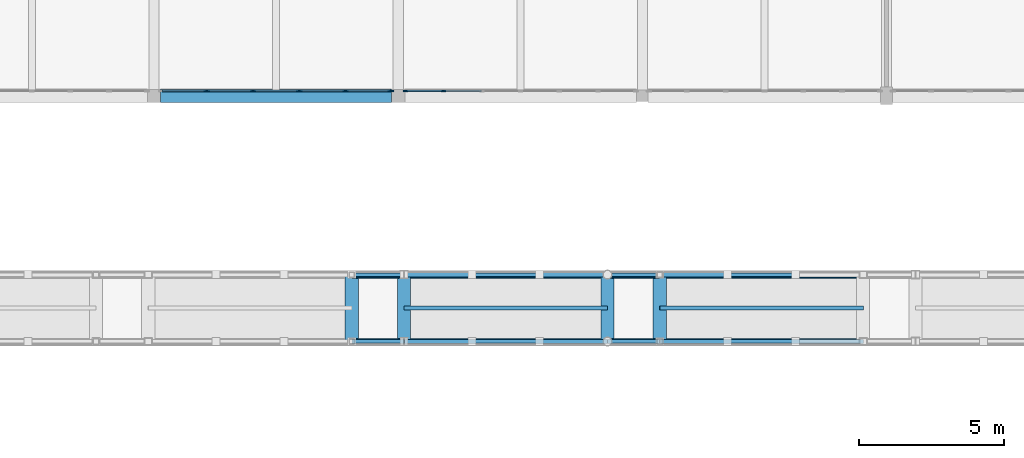
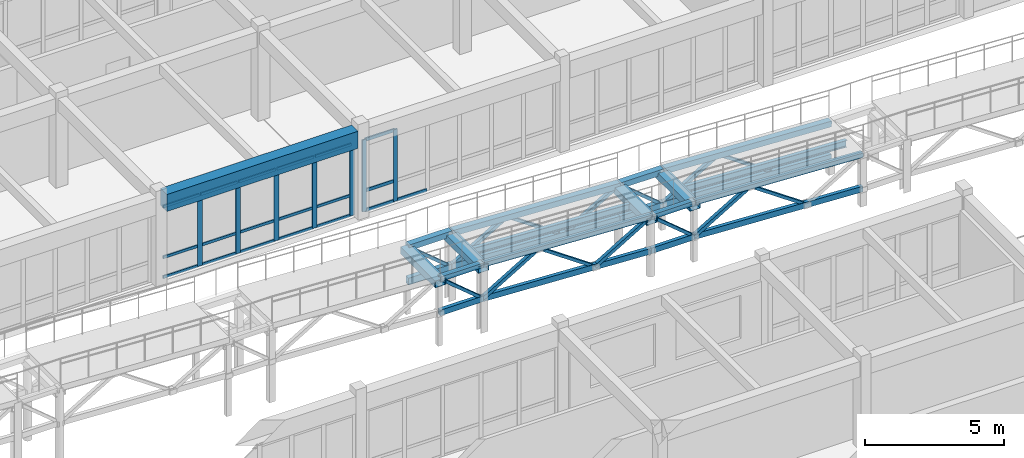
# One storey, part 29 of 89: 56 members, 7 beams, 2 elements without a shape of their own.
"""IFC4 building model written with IfcOpenShell, lengths in metres."""

from ifc_helpers import new_model, si_unit, direction, frame, origin, origin_2d, place, context, subcontext, project, spatial, rectangle, hollow_rectangle, i_section, extrude, material, material_profile, profile_set, type_object, element, aggregate, save


model = new_model("IFC4")

# Units and contexts
model_context = context("Model", 3, precision=1e-05, world=origin(), true_north=direction((0.0, 1.0)))
body_context = subcontext(model_context, "Body", "Model", "MODEL_VIEW")
ifc_project = project(units=[si_unit("LENGTHUNIT", "METRE"), si_unit("AREAUNIT", "SQUARE_METRE"), si_unit("VOLUMEUNIT", "CUBIC_METRE"), si_unit("PLANEANGLEUNIT", "RADIAN"), si_unit("MASSUNIT", "GRAM", prefix="KILO")], contexts=[model_context])

# Site, building, storey
site_placement = place(None, origin())
site = spatial("IfcSite", under=ifc_project, at=site_placement, CompositionType="ELEMENT")
building_placement = place(site_placement, origin())
building = spatial("IfcBuilding", under=site, at=building_placement, Name="Malvenik Polytechnic", CompositionType="ELEMENT")
storey_placement = place(building_placement, frame((0.0, 0.0, 13.5)))
storey = spatial("IfcBuildingStorey", under=building, at=storey_placement, Name="L03", CompositionType="ELEMENT", Elevation=13.5)

# Curtain wall, members
ifc_material_1 = material(Name="Anodised aluminium 6060-T6", Category="aluminium")
curtain_wall_type = type_object("IfcCurtainWallType", Name="ARC-CW-CW-02", PredefinedType="NOTDEFINED", material=ifc_material_1)
curtain_wall_1_placement = place(storey_placement, origin())
curtain_wall_1 = element("IfcCurtainWall", 1, at=curtain_wall_1_placement, inside=storey, type_object=curtain_wall_type, Name="Unitised Curtain Wall CW-02 L03 #200", PredefinedType="NOTDEFINED")
ifc_material_2 = material(Name="Anodised aluminium", Category="aluminium")
ifc_material_profile_1 = material_profile(ifc_material_2, rectangle(XDim=0.06005859375, YDim=0.159912109375, at=origin_2d()), Name="ALU MULLION 60x160")
ifc_profile_set_1 = profile_set([ifc_material_profile_1], Name="Anodised aluminium")
member_type_1 = type_object("IfcMemberType", Name="ARC-CWM-160", PredefinedType="MULLION", material=ifc_profile_set_1)
member_1_placement = place(storey_placement, frame((51.952880859375, 79.3701171875, 0.0), z_axis=(0.0, 0.0, 1.0), x_axis=(0.0, -1.0, 0.0)))
member_1 = element("IfcMember", 2, at=member_1_placement, type_object=member_type_1, Name="CW-02 mullion 6", PredefinedType="MULLION", context=body_context, shape_type="SweptSolid", body=[
    extrude(rectangle(XDim=0.06005859375, YDim=0.159912109375, at=origin_2d()), origin(), (0.0, 0.0, 1.0), 3.159912109375),
])
member_2_placement = place(storey_placement, frame((50.653076171875, 79.3701171875, 0.0), z_axis=(0.0, 0.0, 1.0), x_axis=(0.0, -1.0, 0.0)))
member_2 = element("IfcMember", 3, at=member_2_placement, type_object=member_type_1, Name="CW-02 mullion 7", PredefinedType="MULLION", context=body_context, shape_type="SweptSolid", body=[
    extrude(rectangle(XDim=0.06005859375, YDim=0.159912109375, at=origin_2d()), origin(), (0.0, 0.0, 1.0), 3.159912109375),
])

curtain_wall_2_placement = place(storey_placement, origin())
curtain_wall_2 = element("IfcCurtainWall", 4, at=curtain_wall_2_placement, inside=storey, type_object=curtain_wall_type, Name="Unitised Curtain Wall CW-02 L03 #201", PredefinedType="NOTDEFINED")
ifc_material_profile_2 = material_profile(ifc_material_2, rectangle(XDim=0.06005859375, YDim=0.199951171875, at=origin_2d()), Name="ALU MULLION 60x200")
ifc_profile_set_2 = profile_set([ifc_material_profile_2], Name="Anodised aluminium")
member_type_2 = type_object("IfcMemberType", Name="ARC-CWM-200", PredefinedType="MULLION", material=ifc_profile_set_2)
member_3_placement = place(storey_placement, frame((50.14697265625, 79.3701171875, 0.0), z_axis=(0.0, 0.0, 1.0), x_axis=(0.0, -1.0, 0.0)))
member_3 = element("IfcMember", 5, at=member_3_placement, type_object=member_type_2, Name="CW-02 mullion 1", PredefinedType="MULLION", context=body_context, shape_type="SweptSolid", body=[
    extrude(rectangle(XDim=0.06005859375, YDim=0.199951171875, at=origin_2d()), origin(), (0.0, 0.0, 1.0), 3.159912109375),
])
member_4_placement = place(storey_placement, frame((48.586181640625, 79.3701171875, 0.0), z_axis=(0.0, 0.0, 1.0), x_axis=(0.0, -1.0, 0.0)))
member_4 = element("IfcMember", 6, at=member_4_placement, type_object=member_type_2, Name="CW-02 mullion 2", PredefinedType="MULLION", context=body_context, shape_type="SweptSolid", body=[
    extrude(rectangle(XDim=0.06005859375, YDim=0.199951171875, at=origin_2d()), origin(), (0.0, 0.0, 1.0), 3.159912109375),
])
member_5_placement = place(storey_placement, frame((46.995361328125, 79.3701171875, 0.0), z_axis=(0.0, 0.0, 1.0), x_axis=(0.0, -1.0, 0.0)))
member_5 = element("IfcMember", 7, at=member_5_placement, type_object=member_type_2, Name="CW-02 mullion 3", PredefinedType="MULLION", context=body_context, shape_type="SweptSolid", body=[
    extrude(rectangle(XDim=0.06005859375, YDim=0.199951171875, at=origin_2d()), origin(), (0.0, 0.0, 1.0), 3.159912109375),
])
member_6_placement = place(storey_placement, frame((45.404541015625, 79.3701171875, 0.0), z_axis=(0.0, 0.0, 1.0), x_axis=(0.0, -1.0, 0.0)))
member_6 = element("IfcMember", 8, at=member_6_placement, type_object=member_type_2, Name="CW-02 mullion 4", PredefinedType="MULLION", context=body_context, shape_type="SweptSolid", body=[
    extrude(rectangle(XDim=0.06005859375, YDim=0.199951171875, at=origin_2d()), origin(), (0.0, 0.0, 1.0), 3.159912109375),
])
member_7_placement = place(storey_placement, frame((43.813720703125, 79.3701171875, 0.0), z_axis=(0.0, 0.0, 1.0), x_axis=(0.0, -1.0, 0.0)))
member_7 = element("IfcMember", 9, at=member_7_placement, type_object=member_type_2, Name="CW-02 mullion 5", PredefinedType="MULLION", context=body_context, shape_type="SweptSolid", body=[
    extrude(rectangle(XDim=0.06005859375, YDim=0.199951171875, at=origin_2d()), origin(), (0.0, 0.0, 1.0), 3.159912109375),
])
ifc_material_profile_3 = material_profile(ifc_material_2, rectangle(XDim=0.06005859375, YDim=0.1201171875, at=origin_2d()), Name="ALU TRANSOM 60x120")
ifc_profile_set_3 = profile_set([ifc_material_profile_3], Name="Anodised aluminium")
member_type_3 = type_object("IfcMemberType", Name="ARC-CWT-120", PredefinedType="USERDEFINED", material=ifc_profile_set_3)
member_8_placement = place(storey_placement, frame((50.116943359375, 79.3701171875, 0.030029296875), z_axis=(-1.0, 0.0, 0.0), x_axis=(0.0, -1.0, 0.0)))
member_8 = element("IfcMember", 10, at=member_8_placement, type_object=member_type_3, Name="CW-02 transom 1.1", ObjectType="TRANSOM", PredefinedType="USERDEFINED", context=body_context, shape_type="SweptSolid", body=[
    extrude(rectangle(XDim=0.06005859375, YDim=0.1201171875, at=origin_2d()), origin(), (0.0, 0.0, 1.0), 1.500732421875),
])
member_9_placement = place(storey_placement, frame((50.116943359375, 79.3701171875, 0.89990234375), z_axis=(-1.0, 0.0, 0.0), x_axis=(0.0, -1.0, 0.0)))
member_9 = element("IfcMember", 11, at=member_9_placement, type_object=member_type_3, Name="CW-02 transom 1.2", ObjectType="TRANSOM", PredefinedType="USERDEFINED", context=body_context, shape_type="SweptSolid", body=[
    extrude(rectangle(XDim=0.06005859375, YDim=0.1201171875, at=origin_2d()), origin(), (0.0, 0.0, 1.0), 1.500732421875),
])
member_10_placement = place(storey_placement, frame((50.116943359375, 79.3701171875, 3.1298828125), z_axis=(-1.0, 0.0, 0.0), x_axis=(0.0, -1.0, 0.0)))
member_10 = element("IfcMember", 12, at=member_10_placement, type_object=member_type_3, Name="CW-02 transom 1.3", ObjectType="TRANSOM", PredefinedType="USERDEFINED", context=body_context, shape_type="SweptSolid", body=[
    extrude(rectangle(XDim=0.06005859375, YDim=0.1201171875, at=origin_2d()), origin(), (0.0, 0.0, 1.0), 1.500732421875),
])
member_11_placement = place(storey_placement, frame((48.55615234375, 79.3701171875, 0.030029296875), z_axis=(-1.0, 0.0, 0.0), x_axis=(0.0, -1.0, 0.0)))
member_11 = element("IfcMember", 13, at=member_11_placement, type_object=member_type_3, Name="CW-02 transom 2.1", ObjectType="TRANSOM", PredefinedType="USERDEFINED", context=body_context, shape_type="SweptSolid", body=[
    extrude(rectangle(XDim=0.06005859375, YDim=0.1201171875, at=origin_2d()), origin(), (0.0, 0.0, 1.0), 1.53076171875),
])
member_12_placement = place(storey_placement, frame((48.55615234375, 79.3701171875, 0.89990234375), z_axis=(-1.0, 0.0, 0.0), x_axis=(0.0, -1.0, 0.0)))
member_12 = element("IfcMember", 14, at=member_12_placement, type_object=member_type_3, Name="CW-02 transom 2.2", ObjectType="TRANSOM", PredefinedType="USERDEFINED", context=body_context, shape_type="SweptSolid", body=[
    extrude(rectangle(XDim=0.06005859375, YDim=0.1201171875, at=origin_2d()), origin(), (0.0, 0.0, 1.0), 1.53076171875),
])
member_13_placement = place(storey_placement, frame((48.55615234375, 79.3701171875, 3.1298828125), z_axis=(-1.0, 0.0, 0.0), x_axis=(0.0, -1.0, 0.0)))
member_13 = element("IfcMember", 15, at=member_13_placement, type_object=member_type_3, Name="CW-02 transom 2.3", ObjectType="TRANSOM", PredefinedType="USERDEFINED", context=body_context, shape_type="SweptSolid", body=[
    extrude(rectangle(XDim=0.06005859375, YDim=0.1201171875, at=origin_2d()), origin(), (0.0, 0.0, 1.0), 1.53076171875),
])
member_14_placement = place(storey_placement, frame((46.96533203125, 79.3701171875, 0.030029296875), z_axis=(-1.0, 0.0, 0.0), x_axis=(0.0, -1.0, 0.0)))
member_14 = element("IfcMember", 16, at=member_14_placement, type_object=member_type_3, Name="CW-02 transom 3.1", ObjectType="TRANSOM", PredefinedType="USERDEFINED", context=body_context, shape_type="SweptSolid", body=[
    extrude(rectangle(XDim=0.06005859375, YDim=0.1201171875, at=origin_2d()), origin(), (0.0, 0.0, 1.0), 1.53076171875),
])
member_15_placement = place(storey_placement, frame((46.96533203125, 79.3701171875, 0.89990234375), z_axis=(-1.0, 0.0, 0.0), x_axis=(0.0, -1.0, 0.0)))
member_15 = element("IfcMember", 17, at=member_15_placement, type_object=member_type_3, Name="CW-02 transom 3.2", ObjectType="TRANSOM", PredefinedType="USERDEFINED", context=body_context, shape_type="SweptSolid", body=[
    extrude(rectangle(XDim=0.06005859375, YDim=0.1201171875, at=origin_2d()), origin(), (0.0, 0.0, 1.0), 1.53076171875),
])
member_16_placement = place(storey_placement, frame((46.96533203125, 79.3701171875, 3.1298828125), z_axis=(-1.0, 0.0, 0.0), x_axis=(0.0, -1.0, 0.0)))
member_16 = element("IfcMember", 18, at=member_16_placement, type_object=member_type_3, Name="CW-02 transom 3.3", ObjectType="TRANSOM", PredefinedType="USERDEFINED", context=body_context, shape_type="SweptSolid", body=[
    extrude(rectangle(XDim=0.06005859375, YDim=0.1201171875, at=origin_2d()), origin(), (0.0, 0.0, 1.0), 1.53076171875),
])
member_17_placement = place(storey_placement, frame((45.37451171875, 79.3701171875, 0.030029296875), z_axis=(-1.0, 0.0, 0.0), x_axis=(0.0, -1.0, 0.0)))
member_17 = element("IfcMember", 19, at=member_17_placement, type_object=member_type_3, Name="CW-02 transom 4.1", ObjectType="TRANSOM", PredefinedType="USERDEFINED", context=body_context, shape_type="SweptSolid", body=[
    extrude(rectangle(XDim=0.06005859375, YDim=0.1201171875, at=origin_2d()), origin(), (0.0, 0.0, 1.0), 1.53076171875),
])
member_18_placement = place(storey_placement, frame((45.37451171875, 79.3701171875, 0.89990234375), z_axis=(-1.0, 0.0, 0.0), x_axis=(0.0, -1.0, 0.0)))
member_18 = element("IfcMember", 20, at=member_18_placement, type_object=member_type_3, Name="CW-02 transom 4.2", ObjectType="TRANSOM", PredefinedType="USERDEFINED", context=body_context, shape_type="SweptSolid", body=[
    extrude(rectangle(XDim=0.06005859375, YDim=0.1201171875, at=origin_2d()), origin(), (0.0, 0.0, 1.0), 1.53076171875),
])
member_19_placement = place(storey_placement, frame((45.37451171875, 79.3701171875, 3.1298828125), z_axis=(-1.0, 0.0, 0.0), x_axis=(0.0, -1.0, 0.0)))
member_19 = element("IfcMember", 21, at=member_19_placement, type_object=member_type_3, Name="CW-02 transom 4.3", ObjectType="TRANSOM", PredefinedType="USERDEFINED", context=body_context, shape_type="SweptSolid", body=[
    extrude(rectangle(XDim=0.06005859375, YDim=0.1201171875, at=origin_2d()), origin(), (0.0, 0.0, 1.0), 1.53076171875),
])
member_20_placement = place(storey_placement, frame((43.78369140625, 79.3701171875, 0.030029296875), z_axis=(-1.0, 0.0, 0.0), x_axis=(0.0, -1.0, 0.0)))
member_20 = element("IfcMember", 22, at=member_20_placement, type_object=member_type_3, Name="CW-02 transom 5.1", ObjectType="TRANSOM", PredefinedType="USERDEFINED", context=body_context, shape_type="SweptSolid", body=[
    extrude(rectangle(XDim=0.06005859375, YDim=0.1201171875, at=origin_2d()), origin(), (0.0, 0.0, 1.0), 1.500732421875),
])
member_21_placement = place(storey_placement, frame((43.78369140625, 79.3701171875, 0.89990234375), z_axis=(-1.0, 0.0, 0.0), x_axis=(0.0, -1.0, 0.0)))
member_21 = element("IfcMember", 23, at=member_21_placement, type_object=member_type_3, Name="CW-02 transom 5.2", ObjectType="TRANSOM", PredefinedType="USERDEFINED", context=body_context, shape_type="SweptSolid", body=[
    extrude(rectangle(XDim=0.06005859375, YDim=0.1201171875, at=origin_2d()), origin(), (0.0, 0.0, 1.0), 1.500732421875),
])
member_22_placement = place(storey_placement, frame((43.78369140625, 79.3701171875, 3.1298828125), z_axis=(-1.0, 0.0, 0.0), x_axis=(0.0, -1.0, 0.0)))
member_22 = element("IfcMember", 24, at=member_22_placement, type_object=member_type_3, Name="CW-02 transom 5.3", ObjectType="TRANSOM", PredefinedType="USERDEFINED", context=body_context, shape_type="SweptSolid", body=[
    extrude(rectangle(XDim=0.06005859375, YDim=0.1201171875, at=origin_2d()), origin(), (0.0, 0.0, 1.0), 1.500732421875),
])
aggregate(curtain_wall_2, [member_3, member_4, member_5, member_6, member_7, member_8, member_9, member_10, member_11, member_12, member_13, member_14, member_15, member_16, member_17, member_18, member_19, member_20, member_21, member_22])

# Member
ifc_material_profile_4 = material_profile(ifc_material_2, rectangle(XDim=0.06005859375, YDim=0.139892578125, at=origin_2d()), Name="ALU TRANSOM 60x140")
ifc_profile_set_4 = profile_set([ifc_material_profile_4], Name="Anodised aluminium")
member_type_4 = type_object("IfcMemberType", Name="ARC-CWT-140", PredefinedType="USERDEFINED", material=ifc_profile_set_4)
member_23_placement = place(storey_placement, frame((53.252685546875, 79.3701171875, 0.030029296875), z_axis=(-1.0, 0.0, 0.0), x_axis=(0.0, -1.0, 0.0)))
member_23 = element("IfcMember", 25, at=member_23_placement, type_object=member_type_4, Name="CW-02 transom 5.1", ObjectType="TRANSOM", PredefinedType="USERDEFINED", context=body_context, shape_type="SweptSolid", body=[
    extrude(rectangle(XDim=0.06005859375, YDim=0.139892578125, at=origin_2d()), origin(), (0.0, 0.0, 1.0), 1.269775390625),
])

member_24_placement = place(storey_placement, frame((51.9228515625, 79.3701171875, 0.030029296875), z_axis=(-1.0, 0.0, 0.0), x_axis=(0.0, -1.0, 0.0)))
member_24 = element("IfcMember", 26, at=member_24_placement, type_object=member_type_4, Name="CW-02 transom 6.1", ObjectType="TRANSOM", PredefinedType="USERDEFINED", context=body_context, shape_type="SweptSolid", body=[
    extrude(rectangle(XDim=0.06005859375, YDim=0.139892578125, at=origin_2d()), origin(), (0.0, 0.0, 1.0), 1.23974609375),
])

member_25_placement = place(storey_placement, frame((51.9228515625, 79.3701171875, 0.89990234375), z_axis=(-1.0, 0.0, 0.0), x_axis=(0.0, -1.0, 0.0)))
member_25 = element("IfcMember", 27, at=member_25_placement, type_object=member_type_4, Name="CW-02 transom 6.2", ObjectType="TRANSOM", PredefinedType="USERDEFINED", context=body_context, shape_type="SweptSolid", body=[
    extrude(rectangle(XDim=0.06005859375, YDim=0.139892578125, at=origin_2d()), origin(), (0.0, 0.0, 1.0), 1.23974609375),
])

member_26_placement = place(storey_placement, frame((51.9228515625, 79.3701171875, 3.1298828125), z_axis=(-1.0, 0.0, 0.0), x_axis=(0.0, -1.0, 0.0)))
member_26 = element("IfcMember", 28, at=member_26_placement, type_object=member_type_4, Name="CW-02 transom 6.3", ObjectType="TRANSOM", PredefinedType="USERDEFINED", context=body_context, shape_type="SweptSolid", body=[
    extrude(rectangle(XDim=0.06005859375, YDim=0.139892578125, at=origin_2d()), origin(), (0.0, 0.0, 1.0), 1.23974609375),
])

aggregate(curtain_wall_1, [member_1, member_2, member_23, member_24, member_25, member_26])

# Beams
ifc_material_3 = material(Name="Steel S355J2H", Category="steel")
ifc_material_profile_5 = material_profile(ifc_material_3, hollow_rectangle(XDim=0.449951171875, YDim=0.300048828125, WallThickness=0.012451171875, at=origin_2d()), Name="RHS 450x300x12.5")
ifc_profile_set_5 = profile_set([ifc_material_profile_5], Name="Steel S355J2H")
beam_type_1 = type_object("IfcBeamType", Name="STR-BM-SB-07", PredefinedType="BEAM", material=ifc_profile_set_5)
for number, where, z_axis, x_axis, name in (
    (29, (59.39990234375, 70.64990234375, 2.431884765625), (0.0, 1.0, 0.0), (-1.0, 0.0, 0.0), "Ramp Joint Transom RB-02 #15"),
    (30, (57.60009765625, 70.64990234375, 2.431884765625), (0.0, 1.0, 0.0), (-1.0, 0.0, 0.0), "Ramp Joint Transom RB-02 #16"),
    (31, (50.60009765625, 70.64990234375, 2.781982421875), (0.0, 1.0, 0.0), (-1.0, 0.0, 0.0), "Ramp Joint Transom RB-02 #17"),
    (32, (48.800048828125, 70.64990234375, 2.781982421875), (0.0, 1.0, 0.0), (-1.0, 0.0, 0.0), "Ramp Joint Transom RB-02 #18"),
):
    element("IfcBeam", number, at=place(storey_placement, frame(where, z_axis=z_axis, x_axis=x_axis)), inside=storey, type_object=beam_type_1, Name=name, PredefinedType="BEAM", context=body_context, shape_type="SweptSolid", body=[
        extrude(hollow_rectangle(XDim=0.449951171875, YDim=0.300048828125, WallThickness=0.012451171875, at=origin_2d()), origin(), (0.0, 0.0, 1.0), 2.5),
    ])
ifc_material_4 = material(Name="Steel S355", Category="steel")
ifc_material_profile_6 = material_profile(ifc_material_4, i_section(OverallWidth=0.14990234375, OverallDepth=0.300048828125, WebThickness=0.007080078125, FlangeThickness=0.0107421875, FilletRadius=0.014892578125, at=origin_2d()), Name="IPE 300")
ifc_profile_set_6 = profile_set([ifc_material_profile_6], Name="Steel S355")
beam_type_2 = type_object("IfcBeamType", Name="STR-BM-SB-09", PredefinedType="JOIST", material=ifc_profile_set_6)
for number, where, z_axis, x_axis, name in (
    (33, (66.39990234375, 71.89990234375, 2.02490234375), (-0.998751643845, 0.0, 0.049951515669), (0.0, -1.0, 0.0), "Ramp Centreline Stringer RB-02 #14"),
    (34, (57.60009765625, 71.89990234375, 2.375), (-0.998751643845, 0.0, 0.049951515669), (0.0, -1.0, 0.0), "Ramp Centreline Stringer RB-02 #16"),
):
    element("IfcBeam", number, at=place(storey_placement, frame(where, z_axis=z_axis, x_axis=x_axis)), inside=storey, type_object=beam_type_2, Name=name, PredefinedType="JOIST", context=body_context, shape_type="SweptSolid", body=[
        extrude(i_section(OverallWidth=0.14990234375, OverallDepth=0.300048828125, WebThickness=0.007080078125, FlangeThickness=0.0107421875, FilletRadius=0.014892578125, at=origin_2d()), origin(), (0.0, 0.0, 1.0), 7.0087890625),
    ])
ifc_material_5 = material(Name="Precast concrete C40/50", Category="concrete")
ifc_material_profile_7 = material_profile(ifc_material_5, rectangle(XDim=0.4599609375, YDim=0.75, at=origin_2d()), Name="PC SPN 460x750")
ifc_profile_set_7 = profile_set([ifc_material_profile_7], Name="Precast concrete C40/50")
beam_type_3 = type_object("IfcBeamType", Name="STR-BM-SP-02", PredefinedType="SPANDREL", material=ifc_profile_set_7)
beam_placement = place(storey_placement, frame((42.222900390625, 79.199951171875, 3.544921875), z_axis=(1.0, 0.0, 0.0), x_axis=(0.0, 1.0, 0.0)))
element("IfcBeam", 35, at=beam_placement, inside=storey, type_object=beam_type_3, Name="Primary Beam SP-02 L03 #1639", PredefinedType="SPANDREL", context=body_context, shape_type="SweptSolid", body=[
    extrude(rectangle(XDim=0.4599609375, YDim=0.75, at=origin_2d()), origin(), (0.0, 0.0, 1.0), 7.9541015625),
])

# Members
ifc_material_profile_8 = material_profile(ifc_material_3, hollow_rectangle(XDim=0.14990234375, YDim=0.25, WallThickness=0.010009765625, at=origin_2d()), Name="RHS 250x150x10.0")
ifc_profile_set_8 = profile_set([ifc_material_profile_8], Name="Steel S355J2H")
member_type_5 = type_object("IfcMemberType", Name="STR-MEM-TRB-01", PredefinedType="CHORD", material=ifc_profile_set_8)
member_27_placement = place(storey_placement, frame((66.39599609375, 70.75, 0.730224609375), z_axis=(-0.998752251909, 0.0, 0.049939356288), x_axis=(0.0, -1.0, 0.0)))
element("IfcMember", 36, at=member_27_placement, inside=storey, type_object=member_type_5, Name="Space-Frame Tube TRB-01 STR-TR-BC-RB-02-1-14", PredefinedType="CHORD", context=body_context, shape_type="SweptSolid", body=[
    extrude(hollow_rectangle(XDim=0.14990234375, YDim=0.25, WallThickness=0.010009765625, at=origin_2d()), origin(), (0.0, 0.0, 1.0), 7.000732421875),
])
member_28_placement = place(storey_placement, frame((59.39599609375, 70.75, 1.080078125), z_axis=(-1.0, 0.0, 0.0), x_axis=(0.0, -1.0, 0.0)))
element("IfcMember", 37, at=member_28_placement, inside=storey, type_object=member_type_5, Name="Space-Frame Tube TRB-01 STR-TR-BC-RB-02-1-15", PredefinedType="CHORD", context=body_context, shape_type="SweptSolid", body=[
    extrude(hollow_rectangle(XDim=0.14990234375, YDim=0.25, WallThickness=0.010009765625, at=origin_2d()), origin(), (0.0, 0.0, 1.0), 1.7919921875),
])
member_29_placement = place(storey_placement, frame((57.595947265625, 70.75, 1.080078125), z_axis=(-0.998752251909, 0.0, 0.049939356288), x_axis=(0.0, -1.0, 0.0)))
element("IfcMember", 38, at=member_29_placement, inside=storey, type_object=member_type_5, Name="Space-Frame Tube TRB-01 STR-TR-BC-RB-02-1-16", PredefinedType="CHORD", context=body_context, shape_type="SweptSolid", body=[
    extrude(hollow_rectangle(XDim=0.14990234375, YDim=0.25, WallThickness=0.010009765625, at=origin_2d()), origin(), (0.0, 0.0, 1.0), 7.000732421875),
])
member_30_placement = place(storey_placement, frame((50.595947265625, 70.75, 1.429931640625), z_axis=(-1.0, 0.0, 0.0), x_axis=(0.0, -1.0, 0.0)))
element("IfcMember", 39, at=member_30_placement, inside=storey, type_object=member_type_5, Name="Space-Frame Tube TRB-01 STR-TR-BC-RB-02-1-17", PredefinedType="CHORD", context=body_context, shape_type="SweptSolid", body=[
    extrude(hollow_rectangle(XDim=0.14990234375, YDim=0.25, WallThickness=0.010009765625, at=origin_2d()), origin(), (0.0, 0.0, 1.0), 1.7919921875),
])
ifc_material_profile_9 = material_profile(ifc_material_3, hollow_rectangle(XDim=0.199951171875, YDim=0.300048828125, WallThickness=0.010009765625, at=origin_2d()), Name="RHS 300x200x10.0")
ifc_profile_set_9 = profile_set([ifc_material_profile_9], Name="Steel S355J2H")
member_type_6 = type_object("IfcMemberType", Name="STR-MEM-TRB-02", PredefinedType="CHORD", material=ifc_profile_set_9)
member_31_placement = place(storey_placement, frame((66.39599609375, 73.050048828125, 0.730224609375), z_axis=(-0.998752251909, 0.0, 0.049939356288), x_axis=(0.0, -1.0, 0.0)))
element("IfcMember", 40, at=member_31_placement, inside=storey, type_object=member_type_6, Name="Space-Frame Tube TRB-02 STR-TR-BC-RB-02-2-14", PredefinedType="CHORD", context=body_context, shape_type="SweptSolid", body=[
    extrude(hollow_rectangle(XDim=0.199951171875, YDim=0.300048828125, WallThickness=0.010009765625, at=origin_2d()), origin(), (0.0, 0.0, 1.0), 7.000732421875),
])
member_32_placement = place(storey_placement, frame((59.39599609375, 73.050048828125, 1.080078125), z_axis=(-1.0, 0.0, 0.0), x_axis=(0.0, -1.0, 0.0)))
element("IfcMember", 41, at=member_32_placement, inside=storey, type_object=member_type_6, Name="Space-Frame Tube TRB-02 STR-TR-BC-RB-02-2-15", PredefinedType="CHORD", context=body_context, shape_type="SweptSolid", body=[
    extrude(hollow_rectangle(XDim=0.199951171875, YDim=0.300048828125, WallThickness=0.010009765625, at=origin_2d()), origin(), (0.0, 0.0, 1.0), 1.7919921875),
])
member_33_placement = place(storey_placement, frame((57.595947265625, 73.050048828125, 1.080078125), z_axis=(-0.998752251909, 0.0, 0.049939356288), x_axis=(0.0, -1.0, 0.0)))
element("IfcMember", 42, at=member_33_placement, inside=storey, type_object=member_type_6, Name="Space-Frame Tube TRB-02 STR-TR-BC-RB-02-2-16", PredefinedType="CHORD", context=body_context, shape_type="SweptSolid", body=[
    extrude(hollow_rectangle(XDim=0.199951171875, YDim=0.300048828125, WallThickness=0.010009765625, at=origin_2d()), origin(), (0.0, 0.0, 1.0), 7.000732421875),
])
member_34_placement = place(storey_placement, frame((50.595947265625, 73.050048828125, 1.429931640625), z_axis=(-1.0, 0.0, 0.0), x_axis=(0.0, -1.0, 0.0)))
element("IfcMember", 43, at=member_34_placement, inside=storey, type_object=member_type_6, Name="Space-Frame Tube TRB-02 STR-TR-BC-RB-02-2-17", PredefinedType="CHORD", context=body_context, shape_type="SweptSolid", body=[
    extrude(hollow_rectangle(XDim=0.199951171875, YDim=0.300048828125, WallThickness=0.010009765625, at=origin_2d()), origin(), (0.0, 0.0, 1.0), 1.7919921875),
])
ifc_material_profile_10 = material_profile(ifc_material_3, hollow_rectangle(XDim=0.14990234375, YDim=0.14990234375, WallThickness=0.008056640625, at=origin_2d()), Name="SHS 150x150x8.0")
ifc_profile_set_10 = profile_set([ifc_material_profile_10], Name="Steel S355J2H")
member_type_7 = type_object("IfcMemberType", Name="STR-MEM-TRD-01", PredefinedType="BRACE", material=ifc_profile_set_10)
for number, where, z_axis, x_axis, name in (
    (44, (61.72998046875, 70.75, 2.461181640625), (-0.860228478793, 0.0, -0.509908780346), (0.0, -1.0, 0.0), "Space-Frame Tube TRD-01 STR-TRD-03-RB-02-1-14"),
    (45, (57.5966796875, 70.75, 2.577880859375), (-0.860228478793, 0.0, -0.509908780346), (0.0, -1.0, 0.0), "Space-Frame Tube TRD-01 STR-TRD-01-RB-02-1-16"),
    (46, (52.929931640625, 70.75, 2.811279296875), (-0.860165406805, 0.0, -0.51001516932), (0.0, -1.0, 0.0), "Space-Frame Tube TRD-01 STR-TRD-03-RB-02-1-16"),
    (47, (61.72998046875, 73.050048828125, 2.461181640625), (-0.860228478793, 0.0, -0.509908780346), (0.0, -1.0, 0.0), "Space-Frame Tube TRD-01 STR-TRD-03-RB-02-2-14"),
    (48, (57.5966796875, 73.050048828125, 2.577880859375), (-0.860228478793, 0.0, -0.509908780346), (0.0, -1.0, 0.0), "Space-Frame Tube TRD-01 STR-TRD-01-RB-02-2-16"),
    (49, (52.929931640625, 73.050048828125, 2.811279296875), (-0.860165406805, 0.0, -0.51001516932), (0.0, -1.0, 0.0), "Space-Frame Tube TRD-01 STR-TRD-03-RB-02-2-16"),
):
    element("IfcMember", number, at=place(storey_placement, frame(where, z_axis=z_axis, x_axis=x_axis)), inside=storey, type_object=member_type_7, Name=name, PredefinedType="BRACE", context=body_context, shape_type="SweptSolid", body=[
        extrude(hollow_rectangle(XDim=0.14990234375, YDim=0.14990234375, WallThickness=0.008056640625, at=origin_2d()), origin(), (0.0, 0.0, 1.0), 2.70458984375),
    ])
ifc_material_profile_11 = material_profile(ifc_material_3, hollow_rectangle(XDim=0.1201171875, YDim=0.1201171875, WallThickness=0.00634765625, at=origin_2d()), Name="SHS 120x120x6.3")
ifc_profile_set_11 = profile_set([ifc_material_profile_11], Name="Steel S355J2H")
member_type_8 = type_object("IfcMemberType", Name="STR-MEM-TRD-02", PredefinedType="BRACE", material=ifc_profile_set_11)
member_35_placement = place(storey_placement, frame((64.0634765625, 70.75, 0.84912109375), z_axis=(-0.822046230069, 0.0, 0.569420754477), x_axis=(0.0, -1.0, 0.0)))
element("IfcMember", 50, at=member_35_placement, inside=storey, type_object=member_type_8, Name="Space-Frame Tube TRD-02 STR-TRD-02-RB-02-1-14", PredefinedType="BRACE", context=body_context, shape_type="SweptSolid", body=[
    extrude(hollow_rectangle(XDim=0.1201171875, YDim=0.1201171875, WallThickness=0.00634765625, at=origin_2d()), origin(), (0.0, 0.0, 1.0), 2.83056640625),
])
member_36_placement = place(storey_placement, frame((59.39697265625, 70.75, 1.08251953125), z_axis=(-0.768238418778, 0.0, 0.640163832088), x_axis=(0.0, -1.0, 0.0)))
element("IfcMember", 51, at=member_36_placement, inside=storey, type_object=member_type_8, Name="Space-Frame Tube TRD-02 STR-TR-DGL-RB-02-1-15", PredefinedType="BRACE", context=body_context, shape_type="SweptSolid", body=[
    extrude(hollow_rectangle(XDim=0.1201171875, YDim=0.1201171875, WallThickness=0.00634765625, at=origin_2d()), origin(), (0.0, 0.0, 1.0), 2.335205078125),
])
member_37_placement = place(storey_placement, frame((55.263427734375, 70.75, 1.198974609375), z_axis=(-0.822005857331, 0.0, 0.569479034305), x_axis=(0.0, -1.0, 0.0)))
element("IfcMember", 52, at=member_37_placement, inside=storey, type_object=member_type_8, Name="Space-Frame Tube TRD-02 STR-TRD-02-RB-02-1-16", PredefinedType="BRACE", context=body_context, shape_type="SweptSolid", body=[
    extrude(hollow_rectangle(XDim=0.1201171875, YDim=0.1201171875, WallThickness=0.00634765625, at=origin_2d()), origin(), (0.0, 0.0, 1.0), 2.830810546875),
])
member_38_placement = place(storey_placement, frame((50.596923828125, 70.75, 1.4326171875), z_axis=(-0.768238418778, 0.0, 0.640163832088), x_axis=(0.0, -1.0, 0.0)))
element("IfcMember", 53, at=member_38_placement, inside=storey, type_object=member_type_8, Name="Space-Frame Tube TRD-02 STR-TR-DGL-RB-02-1-17", PredefinedType="BRACE", context=body_context, shape_type="SweptSolid", body=[
    extrude(hollow_rectangle(XDim=0.1201171875, YDim=0.1201171875, WallThickness=0.00634765625, at=origin_2d()), origin(), (0.0, 0.0, 1.0), 2.335205078125),
])
member_39_placement = place(storey_placement, frame((64.0634765625, 73.050048828125, 0.84912109375), z_axis=(-0.822046230069, 0.0, 0.569420754477), x_axis=(0.0, -1.0, 0.0)))
element("IfcMember", 54, at=member_39_placement, inside=storey, type_object=member_type_8, Name="Space-Frame Tube TRD-02 STR-TRD-02-RB-02-2-14", PredefinedType="BRACE", context=body_context, shape_type="SweptSolid", body=[
    extrude(hollow_rectangle(XDim=0.1201171875, YDim=0.1201171875, WallThickness=0.00634765625, at=origin_2d()), origin(), (0.0, 0.0, 1.0), 2.83056640625),
])
member_40_placement = place(storey_placement, frame((59.39697265625, 73.050048828125, 1.08251953125), z_axis=(-0.768238418778, 0.0, 0.640163832088), x_axis=(0.0, -1.0, 0.0)))
element("IfcMember", 55, at=member_40_placement, inside=storey, type_object=member_type_8, Name="Space-Frame Tube TRD-02 STR-TR-DGL-RB-02-2-15", PredefinedType="BRACE", context=body_context, shape_type="SweptSolid", body=[
    extrude(hollow_rectangle(XDim=0.1201171875, YDim=0.1201171875, WallThickness=0.00634765625, at=origin_2d()), origin(), (0.0, 0.0, 1.0), 2.335205078125),
])
member_41_placement = place(storey_placement, frame((55.263427734375, 73.050048828125, 1.198974609375), z_axis=(-0.822005857331, 0.0, 0.569479034305), x_axis=(0.0, -1.0, 0.0)))
element("IfcMember", 56, at=member_41_placement, inside=storey, type_object=member_type_8, Name="Space-Frame Tube TRD-02 STR-TRD-02-RB-02-2-16", PredefinedType="BRACE", context=body_context, shape_type="SweptSolid", body=[
    extrude(hollow_rectangle(XDim=0.1201171875, YDim=0.1201171875, WallThickness=0.00634765625, at=origin_2d()), origin(), (0.0, 0.0, 1.0), 2.830810546875),
])
member_42_placement = place(storey_placement, frame((50.596923828125, 73.050048828125, 1.4326171875), z_axis=(-0.768238418778, 0.0, 0.640163832088), x_axis=(0.0, -1.0, 0.0)))
element("IfcMember", 57, at=member_42_placement, inside=storey, type_object=member_type_8, Name="Space-Frame Tube TRD-02 STR-TR-DGL-RB-02-2-17", PredefinedType="BRACE", context=body_context, shape_type="SweptSolid", body=[
    extrude(hollow_rectangle(XDim=0.1201171875, YDim=0.1201171875, WallThickness=0.00634765625, at=origin_2d()), origin(), (0.0, 0.0, 1.0), 2.335205078125),
])
ifc_material_profile_12 = material_profile(ifc_material_3, hollow_rectangle(XDim=0.199951171875, YDim=0.199951171875, WallThickness=0.010009765625, at=origin_2d()), Name="SHS 200x200x10.0")
ifc_profile_set_12 = profile_set([ifc_material_profile_12], Name="Steel S355J2H")
member_type_9 = type_object("IfcMemberType", Name="STR-MEM-TRT-01", PredefinedType="CHORD", material=ifc_profile_set_12)
member_43_placement = place(storey_placement, frame((66.39599609375, 70.75, 2.230224609375), z_axis=(-0.998752251909, 0.0, 0.049939356288), x_axis=(0.0, -1.0, 0.0)))
element("IfcMember", 58, at=member_43_placement, inside=storey, type_object=member_type_9, Name="Space-Frame Tube TRT-01 STR-TR-TC-RB-02-1-14", PredefinedType="CHORD", context=body_context, shape_type="SweptSolid", body=[
    extrude(hollow_rectangle(XDim=0.199951171875, YDim=0.199951171875, WallThickness=0.010009765625, at=origin_2d()), origin(), (0.0, 0.0, 1.0), 7.000732421875),
])
member_44_placement = place(storey_placement, frame((59.39599609375, 70.75, 2.580078125), z_axis=(-1.0, 0.0, 0.0), x_axis=(0.0, -1.0, 0.0)))
element("IfcMember", 59, at=member_44_placement, inside=storey, type_object=member_type_9, Name="Space-Frame Tube TRT-01 STR-TR-TC-RB-02-1-15", PredefinedType="CHORD", context=body_context, shape_type="SweptSolid", body=[
    extrude(hollow_rectangle(XDim=0.199951171875, YDim=0.199951171875, WallThickness=0.010009765625, at=origin_2d()), origin(), (0.0, 0.0, 1.0), 1.7919921875),
])
member_45_placement = place(storey_placement, frame((57.595947265625, 70.75, 2.580078125), z_axis=(-0.998752251909, 0.0, 0.049939356288), x_axis=(0.0, -1.0, 0.0)))
element("IfcMember", 60, at=member_45_placement, inside=storey, type_object=member_type_9, Name="Space-Frame Tube TRT-01 STR-TR-TC-RB-02-1-16", PredefinedType="CHORD", context=body_context, shape_type="SweptSolid", body=[
    extrude(hollow_rectangle(XDim=0.199951171875, YDim=0.199951171875, WallThickness=0.010009765625, at=origin_2d()), origin(), (0.0, 0.0, 1.0), 7.000732421875),
])
member_46_placement = place(storey_placement, frame((50.595947265625, 70.75, 2.929931640625), z_axis=(-1.0, 0.0, 0.0), x_axis=(0.0, -1.0, 0.0)))
element("IfcMember", 61, at=member_46_placement, inside=storey, type_object=member_type_9, Name="Space-Frame Tube TRT-01 STR-TR-TC-RB-02-1-17", PredefinedType="CHORD", context=body_context, shape_type="SweptSolid", body=[
    extrude(hollow_rectangle(XDim=0.199951171875, YDim=0.199951171875, WallThickness=0.010009765625, at=origin_2d()), origin(), (0.0, 0.0, 1.0), 1.7919921875),
])
ifc_material_profile_13 = material_profile(ifc_material_3, hollow_rectangle(XDim=0.25, YDim=0.25, WallThickness=0.010009765625, at=origin_2d()), Name="SHS 250x250x10.0")
ifc_profile_set_13 = profile_set([ifc_material_profile_13], Name="Steel S355J2H")
member_type_10 = type_object("IfcMemberType", Name="STR-MEM-TRT-02", PredefinedType="CHORD", material=ifc_profile_set_13)
member_47_placement = place(storey_placement, frame((66.39599609375, 73.050048828125, 2.230224609375), z_axis=(-0.998752251909, 0.0, 0.049939356288), x_axis=(0.0, -1.0, 0.0)))
element("IfcMember", 62, at=member_47_placement, inside=storey, type_object=member_type_10, Name="Space-Frame Tube TRT-02 STR-TR-TC-RB-02-2-14", PredefinedType="CHORD", context=body_context, shape_type="SweptSolid", body=[
    extrude(hollow_rectangle(XDim=0.25, YDim=0.25, WallThickness=0.010009765625, at=origin_2d()), origin(), (0.0, 0.0, 1.0), 7.000732421875),
])
member_48_placement = place(storey_placement, frame((59.39599609375, 73.050048828125, 2.580078125), z_axis=(-1.0, 0.0, 0.0), x_axis=(0.0, -1.0, 0.0)))
element("IfcMember", 63, at=member_48_placement, inside=storey, type_object=member_type_10, Name="Space-Frame Tube TRT-02 STR-TR-TC-RB-02-2-15", PredefinedType="CHORD", context=body_context, shape_type="SweptSolid", body=[
    extrude(hollow_rectangle(XDim=0.25, YDim=0.25, WallThickness=0.010009765625, at=origin_2d()), origin(), (0.0, 0.0, 1.0), 1.7919921875),
])
member_49_placement = place(storey_placement, frame((57.595947265625, 73.050048828125, 2.580078125), z_axis=(-0.998752251909, 0.0, 0.049939356288), x_axis=(0.0, -1.0, 0.0)))
element("IfcMember", 64, at=member_49_placement, inside=storey, type_object=member_type_10, Name="Space-Frame Tube TRT-02 STR-TR-TC-RB-02-2-16", PredefinedType="CHORD", context=body_context, shape_type="SweptSolid", body=[
    extrude(hollow_rectangle(XDim=0.25, YDim=0.25, WallThickness=0.010009765625, at=origin_2d()), origin(), (0.0, 0.0, 1.0), 7.000732421875),
])
member_50_placement = place(storey_placement, frame((50.595947265625, 73.050048828125, 2.929931640625), z_axis=(-1.0, 0.0, 0.0), x_axis=(0.0, -1.0, 0.0)))
element("IfcMember", 65, at=member_50_placement, inside=storey, type_object=member_type_10, Name="Space-Frame Tube TRT-02 STR-TR-TC-RB-02-2-17", PredefinedType="CHORD", context=body_context, shape_type="SweptSolid", body=[
    extrude(hollow_rectangle(XDim=0.25, YDim=0.25, WallThickness=0.010009765625, at=origin_2d()), origin(), (0.0, 0.0, 1.0), 1.7919921875),
])

save(model, "model.ifc")
